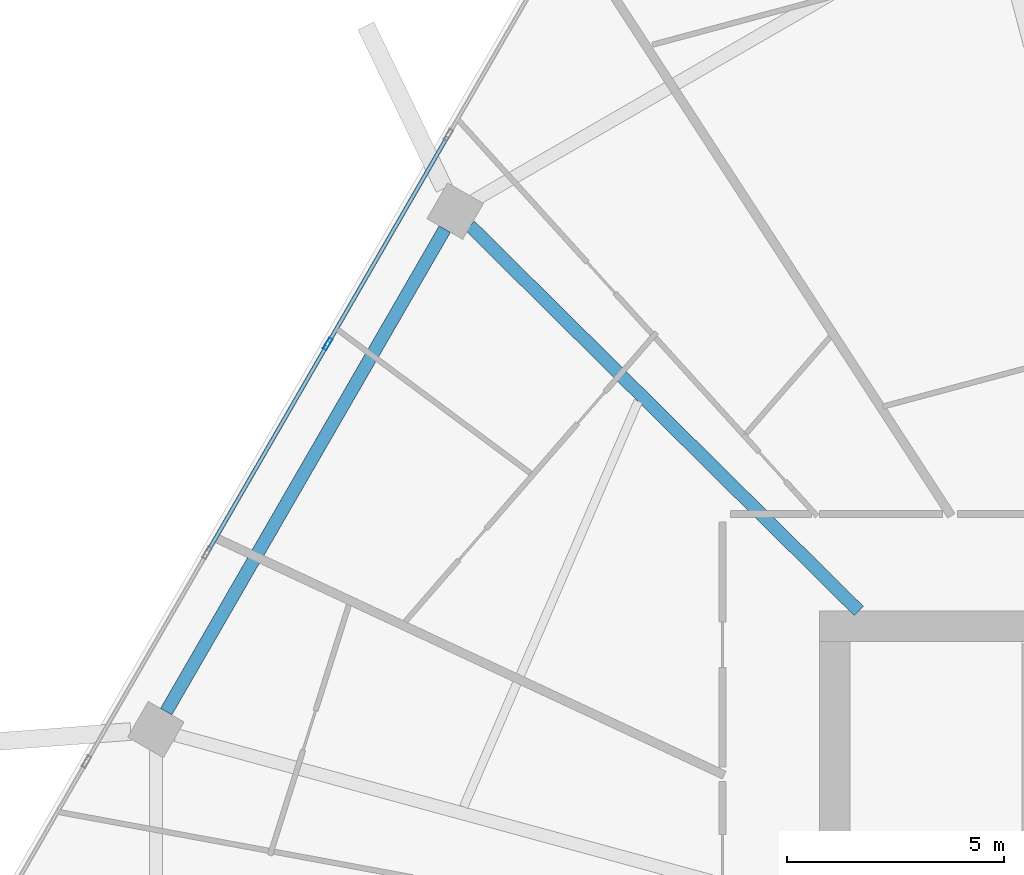
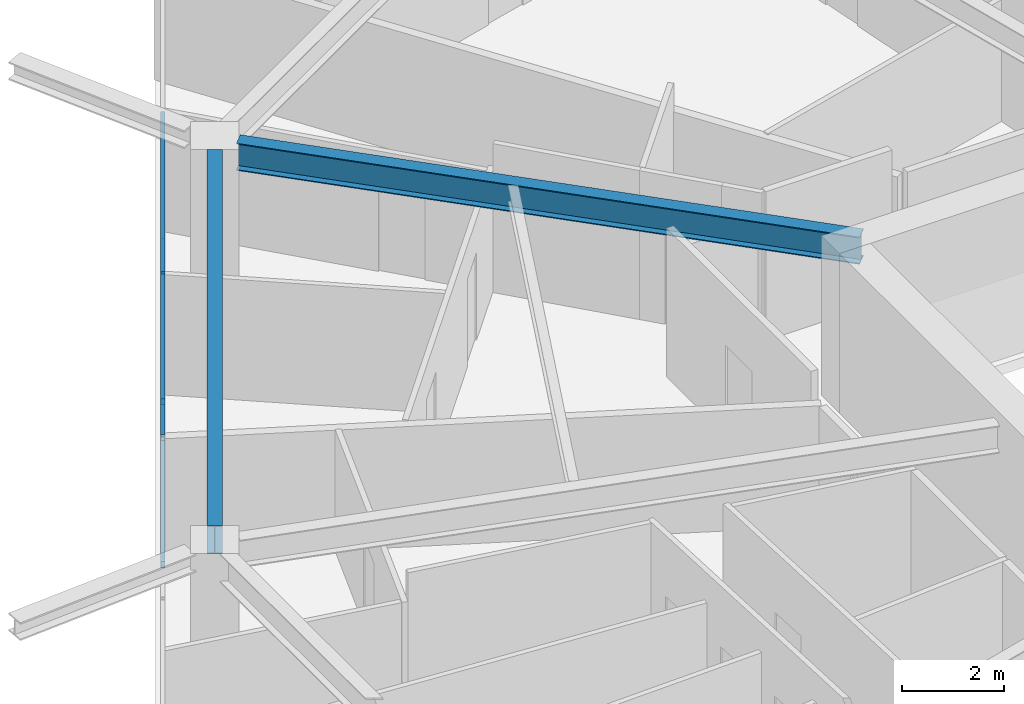
# One storey, part 12 of 27: 5 members, 2 beams, 1 element without a shape of its own.
"""IFC4 building model written with IfcOpenShell, lengths in metres."""

from ifc_helpers import new_model, si_unit, direction, frame, origin, origin_2d, place, context, subcontext, project, spatial, hollow_rectangle, i_section, extrude, material, material_profile, profile_set, type_object, element, aggregate, save


model = new_model("IFC4")

# Units and contexts
model_context = context("Model", 3, precision=1e-05, world=origin(), true_north=direction((0.0, 1.0)))
body_context = subcontext(model_context, "Body", "Model", "MODEL_VIEW")
ifc_project = project(units=[si_unit("LENGTHUNIT", "METRE"), si_unit("AREAUNIT", "SQUARE_METRE"), si_unit("VOLUMEUNIT", "CUBIC_METRE"), si_unit("PLANEANGLEUNIT", "RADIAN"), si_unit("MASSUNIT", "GRAM", prefix="KILO")], contexts=[model_context])

# Site, building, storey
site_placement = place(None, origin())
site = spatial("IfcSite", under=ifc_project, at=site_placement, CompositionType="ELEMENT")
building_placement = place(site_placement, origin())
building = spatial("IfcBuilding", under=site, at=building_placement, Name="Zuhravey Tower", CompositionType="ELEMENT")
storey_placement = place(building_placement, frame((0.0, 0.0, 218.800048828125)))
storey = spatial("IfcBuildingStorey", under=building, at=storey_placement, Name="L55", CompositionType="ELEMENT", Elevation=218.800048828125)

# Curtain wall, members
ifc_material_1 = material(Name="Thermally broken anodised aluminium", Category="aluminium")
curtain_wall_type = type_object("IfcCurtainWallType", Name="Zone 1-2 Residential Curtain Wall CW3", PredefinedType="NOTDEFINED", material=ifc_material_1)
curtain_wall_placement = place(storey_placement, origin())
curtain_wall = element("IfcCurtainWall", 1, at=curtain_wall_placement, inside=storey, type_object=curtain_wall_type, Name="L55 CW3 CW-L55-F3-1", PredefinedType="NOTDEFINED")
ifc_material_2 = material(Name="Anodised aluminium", Category="aluminium")
ifc_material_profile_1 = material_profile(ifc_material_2, hollow_rectangle(XDim=0.090087890625, YDim=0.284912109375, WallThickness=0.0048828125, at=origin_2d()), Name="ALU-RHS-90x285x5")
ifc_profile_set_1 = profile_set([ifc_material_profile_1], Name="Anodised aluminium")
member_type_1 = type_object("IfcMemberType", Name="Curtain-Wall Mullion 90x180", PredefinedType="MULLION", material=ifc_profile_set_1)
member_1_placement = place(storey_placement, frame((13.844970703125, 47.992431640625, 0.0), z_axis=(0.0, 0.0, 1.0), x_axis=(-0.866025138215, 0.500000459979, 0.0)))
member_1 = element("IfcMember", 2, at=member_1_placement, type_object=member_type_1, Name="CW3 mullion 4", PredefinedType="MULLION", context=body_context, shape_type="SweptSolid", body=[
    extrude(hollow_rectangle(XDim=0.090087890625, YDim=0.284912109375, WallThickness=0.0048828125, at=origin_2d()), origin(), (0.0, 0.0, 1.0), 3.1220703125),
])
ifc_material_profile_2 = material_profile(ifc_material_2, hollow_rectangle(XDim=0.090087890625, YDim=0.14990234375, WallThickness=0.0048828125, at=origin_2d()), Name="ALU-RHS-90x150x5")
ifc_profile_set_2 = profile_set([ifc_material_profile_2], Name="Anodised aluminium")
member_type_2 = type_object("IfcMemberType", Name="Curtain-Wall Transom 90x150", PredefinedType="USERDEFINED", material=ifc_profile_set_2)
member_2_placement = place(storey_placement, frame((11.09521484375, 43.229736328125, 0.044921875), z_axis=(0.499980763544, 0.866036509673, 0.0), x_axis=(-0.866036509673, 0.499980763544, 0.0)))
member_2 = element("IfcMember", 3, at=member_2_placement, type_object=member_type_2, Name="CW3 transom 3.1", ObjectType="TRANSOM", PredefinedType="USERDEFINED", context=body_context, shape_type="SweptSolid", body=[
    extrude(hollow_rectangle(XDim=0.090087890625, YDim=0.14990234375, WallThickness=0.0048828125, at=origin_2d()), origin(), (0.0, 0.0, 1.0), 5.454345703125),
])
member_3_placement = place(storey_placement, frame((11.09521484375, 43.229736328125, 3.076904296875), z_axis=(0.499980763544, 0.866036509673, 0.0), x_axis=(-0.866036509673, 0.499980763544, 0.0)))
member_3 = element("IfcMember", 4, at=member_3_placement, type_object=member_type_2, Name="CW3 transom 3.2", ObjectType="TRANSOM", PredefinedType="USERDEFINED", context=body_context, shape_type="SweptSolid", body=[
    extrude(hollow_rectangle(XDim=0.090087890625, YDim=0.14990234375, WallThickness=0.0048828125, at=origin_2d()), origin(), (0.0, 0.0, 1.0), 5.454345703125),
])
member_4_placement = place(storey_placement, frame((13.867431640625, 48.03125, 0.044921875), z_axis=(0.49996138257, 0.86604769842, 0.0), x_axis=(-0.86604769842, 0.49996138257, 0.0)))
member_4 = element("IfcMember", 5, at=member_4_placement, type_object=member_type_2, Name="CW3 transom 4.1", ObjectType="TRANSOM", PredefinedType="USERDEFINED", context=body_context, shape_type="SweptSolid", body=[
    extrude(hollow_rectangle(XDim=0.090087890625, YDim=0.14990234375, WallThickness=0.0048828125, at=origin_2d()), origin(), (0.0, 0.0, 1.0), 5.45458984375),
])
member_5_placement = place(storey_placement, frame((13.867431640625, 48.03125, 3.076904296875), z_axis=(0.49996138257, 0.86604769842, 0.0), x_axis=(-0.86604769842, 0.49996138257, 0.0)))
member_5 = element("IfcMember", 6, at=member_5_placement, type_object=member_type_2, Name="CW3 transom 4.2", ObjectType="TRANSOM", PredefinedType="USERDEFINED", context=body_context, shape_type="SweptSolid", body=[
    extrude(hollow_rectangle(XDim=0.090087890625, YDim=0.14990234375, WallThickness=0.0048828125, at=origin_2d()), origin(), (0.0, 0.0, 1.0), 5.45458984375),
])
aggregate(curtain_wall, [member_1, member_2, member_3, member_4, member_5])

# Beams
ifc_material_3 = material(Name="Steel SM355", Category="steel")
ifc_material_profile_3 = material_profile(ifc_material_3, i_section(OverallWidth=0.300048828125, OverallDepth=0.679931640625, WebThickness=0.012939453125, FlangeThickness=0.02197265625, at=origin_2d()), Name="H-680x300x13x22")
ifc_profile_set_3 = profile_set([ifc_material_profile_3], Name="Steel SM355")
beam_type_1 = type_object("IfcBeamType", Name="Perimeter Ring Beam H680x300", PredefinedType="BEAM", material=ifc_profile_set_3)
beam_1_placement = place(storey_placement, frame((16.535400390625, 50.632568359375, 3.2099609375), z_axis=(-0.500003505699, -0.866023379758, 0.0), x_axis=(0.866023379758, -0.500003505699, 0.0)))
element("IfcBeam", 7, at=beam_1_placement, inside=storey, type_object=beam_type_1, Name="L55 PB2 BM-L55-PB-05", PredefinedType="BEAM", context=body_context, shape_type="SweptSolid", body=[
    extrude(i_section(OverallWidth=0.300048828125, OverallDepth=0.679931640625, WebThickness=0.012939453125, FlangeThickness=0.02197265625, at=origin_2d()), origin(), (0.0, 0.0, 1.0), 12.80810546875),
])
ifc_material_profile_4 = material_profile(ifc_material_3, i_section(OverallWidth=0.300048828125, OverallDepth=0.64990234375, WebThickness=0.012939453125, FlangeThickness=0.02197265625, at=origin_2d()), Name="H-650x300x13x22")
ifc_profile_set_4 = profile_set([ifc_material_profile_4], Name="Steel SM355")
beam_type_2 = type_object("IfcBeamType", Name="Radial Primary Girder H650x300", PredefinedType="BEAM", material=ifc_profile_set_4)
beam_2_placement = place(storey_placement, frame((26.054443359375, 41.85302734375, 3.224853515625), z_axis=(-0.710406645816, 0.703791444663, 0.0), x_axis=(-0.703791444663, -0.710406645816, 0.0)))
element("IfcBeam", 8, at=beam_2_placement, inside=storey, type_object=beam_type_2, Name="L55 RG2 BM-L55-RAD-05", PredefinedType="BEAM", context=body_context, shape_type="SweptSolid", body=[
    extrude(i_section(OverallWidth=0.300048828125, OverallDepth=0.64990234375, WebThickness=0.012939453125, FlangeThickness=0.02197265625, at=origin_2d()), origin(), (0.0, 0.0, 1.0), 12.5849609375),
])

save(model, "model.ifc")
